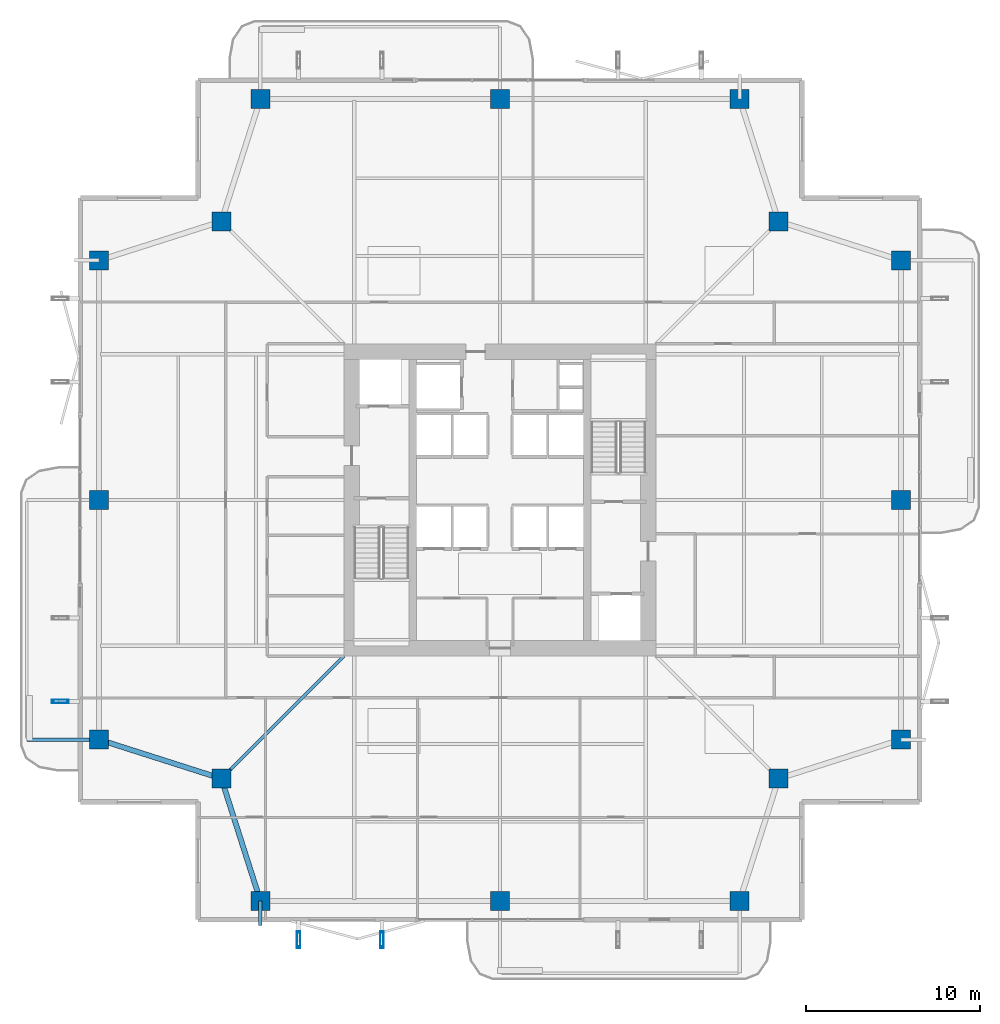
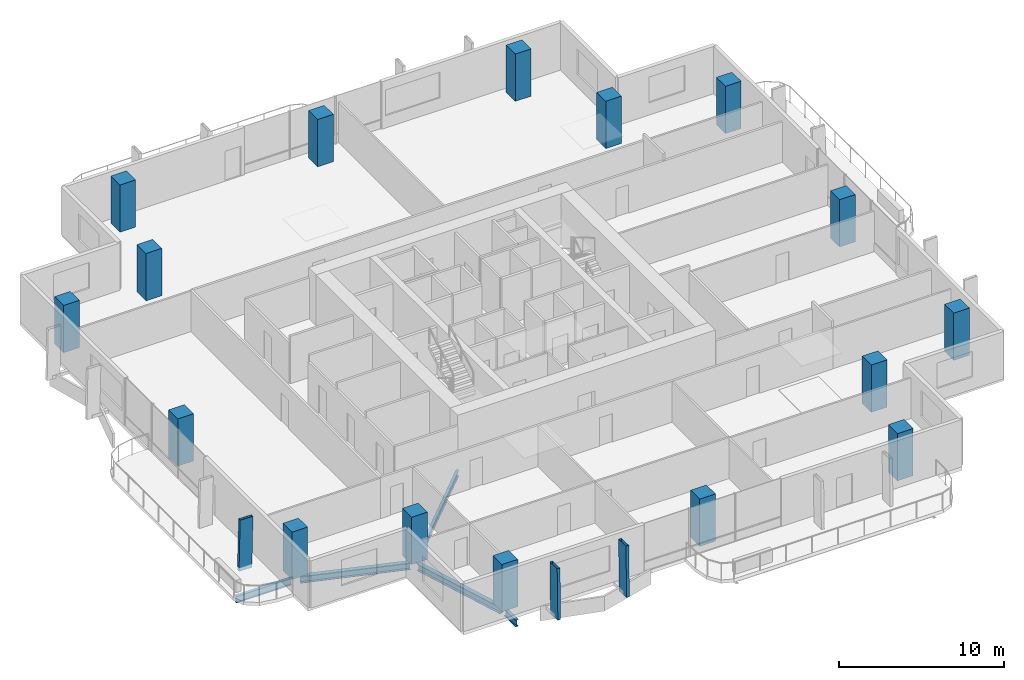
# One storey, part 1 of 24: 16 columns, 5 beams, 3 members.
"""IFC4 building model written with IfcOpenShell, lengths in metres."""

from ifc_helpers import new_model, si_unit, direction, frame, origin, origin_2d, place, context, subcontext, project, spatial, rectangle, hollow_rectangle, i_section, extrude, material, material_profile, profile_set, type_object, element, save


model = new_model("IFC4")

# Units and contexts
model_context = context("Model", 3, precision=1e-05, world=origin(), true_north=direction((0.0, 1.0)))
body_context = subcontext(model_context, "Body", "Model", "MODEL_VIEW")
ifc_project = project(units=[si_unit("LENGTHUNIT", "METRE"), si_unit("AREAUNIT", "SQUARE_METRE"), si_unit("VOLUMEUNIT", "CUBIC_METRE"), si_unit("PLANEANGLEUNIT", "RADIAN"), si_unit("MASSUNIT", "GRAM", prefix="KILO")], contexts=[model_context])

# Site, building, storey
site_placement = place(None, origin())
site = spatial("IfcSite", under=ifc_project, at=site_placement, CompositionType="ELEMENT")
building_placement = place(site_placement, origin())
building = spatial("IfcBuilding", under=site, at=building_placement, Name="Belovzor Exchange Tower", CompositionType="ELEMENT")
storey_placement = place(building_placement, frame((0.0, 0.0, 168.300048828125)))
storey = spatial("IfcBuildingStorey", under=building, at=storey_placement, Name="L41", CompositionType="ELEMENT", Elevation=168.300048828125)

# Columns
ifc_material_1 = material(Name="Concrete C50/60", Category="concrete")
ifc_material_profile_1 = material_profile(ifc_material_1, rectangle(XDim=1.10009765625, YDim=1.10009765625, at=origin_2d()))
ifc_profile_set_1 = profile_set([ifc_material_profile_1], Name="Concrete C50/60")
column_type = type_object("IfcColumnType", Name="Reinforced Concrete Tower Column 1100x1100", PredefinedType="COLUMN", material=ifc_profile_set_1)
for number, where, z_axis, x_axis, name in (
    (1, (15.0, 5.699951171875, 0.0029296875), (0.0, 0.0, 1.0), (1.0, 0.0, 0.0), "COL-T110 Reinforced Concrete Tower Column 1100x1100"),
    (2, (28.800048828125, 5.699951171875, 0.0029296875), (0.0, 0.0, 1.0), (1.0, 0.0, 0.0), "COL-T110 Reinforced Concrete Tower Column 1100x1100"),
    (3, (42.60009765625, 5.699951171875, 0.0029296875), (0.0, 0.0, 1.0), (1.0, 0.0, 0.0), "COL-T110 Reinforced Concrete Tower Column 1100x1100"),
    (4, (51.89990234375, 15.0, 0.0029296875), (0.0, 0.0, 1.0), (1.0, 0.0, 0.0), "COL-T110 Reinforced Concrete Tower Column 1100x1100"),
    (5, (51.89990234375, 28.800048828125, 0.0029296875), (0.0, 0.0, 1.0), (1.0, 0.0, 0.0), "COL-T110 Reinforced Concrete Tower Column 1100x1100"),
    (6, (51.89990234375, 42.60009765625, 0.0029296875), (0.0, 0.0, 1.0), (1.0, 0.0, 0.0), "COL-T110 Reinforced Concrete Tower Column 1100x1100"),
    (7, (42.60009765625, 51.89990234375, 0.0029296875), (0.0, 0.0, 1.0), (1.0, 0.0, 0.0), "COL-T110 Reinforced Concrete Tower Column 1100x1100"),
    (8, (28.800048828125, 51.89990234375, 0.0029296875), (0.0, 0.0, 1.0), (1.0, 0.0, 0.0), "COL-T110 Reinforced Concrete Tower Column 1100x1100"),
    (9, (15.0, 51.89990234375, 0.0029296875), (0.0, 0.0, 1.0), (1.0, 0.0, 0.0), "COL-T110 Reinforced Concrete Tower Column 1100x1100"),
    (10, (5.699951171875, 42.60009765625, 0.0029296875), (0.0, 0.0, 1.0), (1.0, 0.0, 0.0), "COL-T110 Reinforced Concrete Tower Column 1100x1100"),
    (11, (5.699951171875, 28.800048828125, 0.0029296875), (0.0, 0.0, 1.0), (1.0, 0.0, 0.0), "COL-T110 Reinforced Concrete Tower Column 1100x1100"),
    (12, (5.699951171875, 15.0, 0.0029296875), (0.0, 0.0, 1.0), (1.0, 0.0, 0.0), "COL-T110 Reinforced Concrete Tower Column 1100x1100"),
    (13, (12.75, 12.75, 0.0029296875), (0.0, 0.0, 1.0), (1.0, 0.0, 0.0), "COL-T110 Reinforced Concrete Tower Column 1100x1100"),
    (14, (44.85009765625, 12.75, 0.0029296875), (0.0, 0.0, 1.0), (1.0, 0.0, 0.0), "COL-T110 Reinforced Concrete Tower Column 1100x1100"),
    (15, (44.85009765625, 44.85009765625, 0.0029296875), (0.0, 0.0, 1.0), (1.0, 0.0, 0.0), "COL-T110 Reinforced Concrete Tower Column 1100x1100"),
    (16, (12.75, 44.85009765625, 0.0029296875), (0.0, 0.0, 1.0), (1.0, 0.0, 0.0), "COL-T110 Reinforced Concrete Tower Column 1100x1100"),
):
    element("IfcColumn", number, at=place(storey_placement, frame(where, z_axis=z_axis, x_axis=x_axis)), inside=storey, type_object=column_type, Name=name, PredefinedType="COLUMN", context=body_context, shape_type="SweptSolid", body=[
        extrude(rectangle(XDim=1.10009765625, YDim=1.10009765625, at=origin_2d()), origin(), (0.0, 0.0, 1.0), 3.489013671875),
    ])

# Beams
ifc_material_2 = material(Name="Steel S355", Category="steel")
ifc_material_profile_2 = material_profile(ifc_material_2, i_section(OverallWidth=0.199951171875, OverallDepth=0.5, WebThickness=0.01025390625, FlangeThickness=0.01611328125, at=origin_2d()))
ifc_profile_set_2 = profile_set([ifc_material_profile_2], Name="Steel S355")
beam_type_1 = type_object("IfcBeamType", Name="Planted Balcony Cantilever Beam IPE 500", PredefinedType="BEAM", material=ifc_profile_set_2)
beam_1_placement = place(storey_placement, frame((5.39697265625, 15.0, -0.505126953125), z_axis=(-1.0, 0.0, 0.0), x_axis=(0.0, -1.0, 0.0)))
element("IfcBeam", 17, at=beam_1_placement, inside=storey, type_object=beam_type_1, Name="BC-500 Planted Balcony Cantilever Beam IPE 500", PredefinedType="BEAM", context=body_context, shape_type="SweptSolid", body=[
    extrude(i_section(OverallWidth=0.199951171875, OverallDepth=0.5, WebThickness=0.01025390625, FlangeThickness=0.01611328125, at=origin_2d()), origin(), (0.0, 0.0, 1.0), 3.849853515625),
])
beam_2_placement = place(storey_placement, frame((15.0, 5.699951171875, -0.505126953125), z_axis=(0.0, -1.0, 0.0), x_axis=(1.0, 0.0, 0.0)))
element("IfcBeam", 18, at=beam_2_placement, inside=storey, type_object=beam_type_1, Name="BC-500 Planted Balcony Cantilever Beam IPE 500", PredefinedType="BEAM", context=body_context, shape_type="SweptSolid", body=[
    extrude(i_section(OverallWidth=0.199951171875, OverallDepth=0.5, WebThickness=0.01025390625, FlangeThickness=0.01611328125, at=origin_2d()), origin(), (0.0, 0.0, 1.0), 1.39990234375),
])

# Members
ifc_material_3 = material(Name="Extruded Architectural Terracotta on Steel S355 Carrier", Category="masonry")
ifc_material_profile_3 = material_profile(ifc_material_3, hollow_rectangle(XDim=0.199951171875, YDim=0.89990234375, WallThickness=0.011962890625, at=origin_2d()))
ifc_profile_set_3 = profile_set([ifc_material_profile_3], Name="Extruded Architectural Terracotta on Steel S355 Carrier")
member_type = type_object("IfcMemberType", Name="Sweeping Terracotta Baguette Fin Assembly 1250", PredefinedType="USERDEFINED", material=ifc_profile_set_3)
for number, where, z_axis, x_axis, name in (
    (19, (17.199951171875, 3.43994140625, -0.255126953125), (0.0, 0.021089058773, 0.999777601069), (-1.0, 0.0, 0.0), "FIN-TC125 Terracotta Facade Fin L41 S1"),
    (20, (3.43994140625, 17.199951171875, -0.255126953125), (0.021089058773, 0.0, 0.999777601069), (0.0, 1.0, 0.0), "FIN-TC125 Terracotta Facade Fin L41 W1"),
    (21, (22.0, 3.43994140625, -0.255126953125), (0.0, 0.021089058773, 0.999777601069), (-1.0, 0.0, 0.0), "FIN-TC125 Terracotta Facade Fin L41 S2"),
):
    element("IfcMember", number, at=place(storey_placement, frame(where, z_axis=z_axis, x_axis=x_axis)), inside=storey, type_object=member_type, Name=name, ObjectType="FIN", PredefinedType="USERDEFINED", context=body_context, shape_type="SweptSolid", body=[
        extrude(hollow_rectangle(XDim=0.199951171875, YDim=0.89990234375, WallThickness=0.011962890625, at=origin_2d()), origin(), (0.0, 0.0, 1.0), 3.750732421875),
    ])

# Beams
ifc_material_4 = material(Name="Steel S355", Category="steel")
ifc_material_profile_4 = material_profile(ifc_material_4, i_section(OverallWidth=0.18994140625, OverallDepth=0.449951171875, WebThickness=0.009521484375, FlangeThickness=0.0146484375, at=origin_2d()))
ifc_profile_set_4 = profile_set([ifc_material_profile_4], Name="Steel S355")
beam_type_2 = type_object("IfcBeamType", Name="Zone 2-4 Radial Composite Floor Beam IPE 450", PredefinedType="BEAM", material=ifc_profile_set_4)
beam_3_placement = place(storey_placement, frame((19.800048828125, 19.800048828125, -0.47998046875), z_axis=(-0.707106781187, -0.707106781187, 0.0), x_axis=(0.707106781187, -0.707106781187, 0.0)))
element("IfcBeam", 22, at=beam_3_placement, inside=storey, type_object=beam_type_2, Name="FB-450 Zone 2-4 Radial Composite Floor Beam IPE 450", PredefinedType="BEAM", context=body_context, shape_type="SweptSolid", body=[
    extrude(i_section(OverallWidth=0.18994140625, OverallDepth=0.449951171875, WebThickness=0.009521484375, FlangeThickness=0.0146484375, at=origin_2d()), origin(), (0.0, 0.0, 1.0), 9.58154296875),
])
ifc_material_5 = material(Name="Steel S355", Category="steel")
ifc_material_profile_5 = material_profile(ifc_material_5, i_section(OverallWidth=0.300048828125, OverallDepth=0.5, WebThickness=0.014404296875, FlangeThickness=0.028076171875, at=origin_2d()))
ifc_profile_set_5 = profile_set([ifc_material_profile_5], Name="Steel S355")
beam_type_3 = type_object("IfcBeamType", Name="Zone 3 Waist Primary Girder HEB 500", PredefinedType="BEAM", material=ifc_profile_set_5)
for number, where, z_axis, x_axis, name in (
    (23, (12.842041015625, 12.4619140625, -0.505126953125), (0.304011730457, -0.952668288411, 0.0), (0.952668288411, 0.304011730457, 0.0), "FG-Z3 Zone 3 Waist Primary Girder HEB 500"),
    (24, (5.988037109375, 14.907958984375, -0.505126953125), (0.952668288411, -0.304011730457, 0.0), (0.304011730457, 0.952668288411, 0.0), "FG-Z3 Zone 3 Waist Primary Girder HEB 500"),
):
    element("IfcBeam", number, at=place(storey_placement, frame(where, z_axis=z_axis, x_axis=x_axis)), inside=storey, type_object=beam_type_3, Name=name, PredefinedType="BEAM", context=body_context, shape_type="SweptSolid", body=[
        extrude(i_section(OverallWidth=0.300048828125, OverallDepth=0.5, WebThickness=0.014404296875, FlangeThickness=0.028076171875, at=origin_2d()), origin(), (0.0, 0.0, 1.0), 6.79541015625),
    ])

save(model, "model.ifc")
